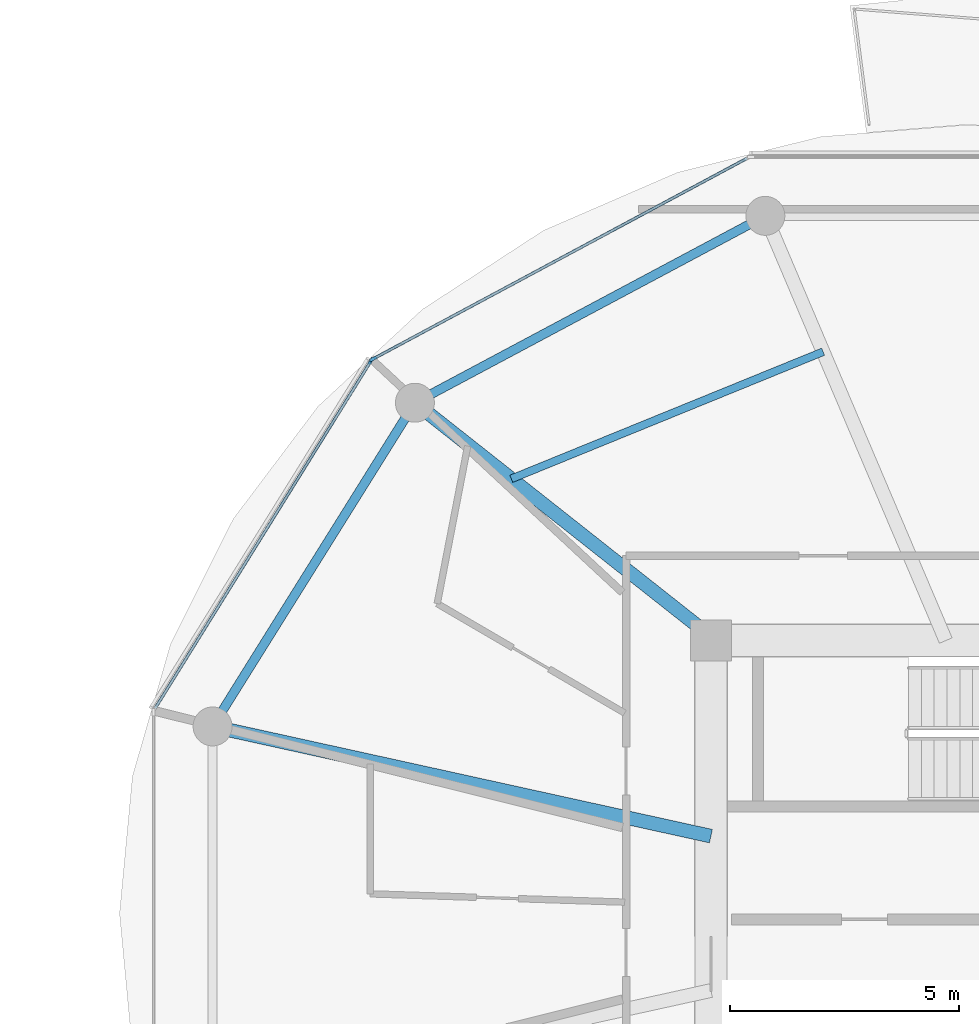
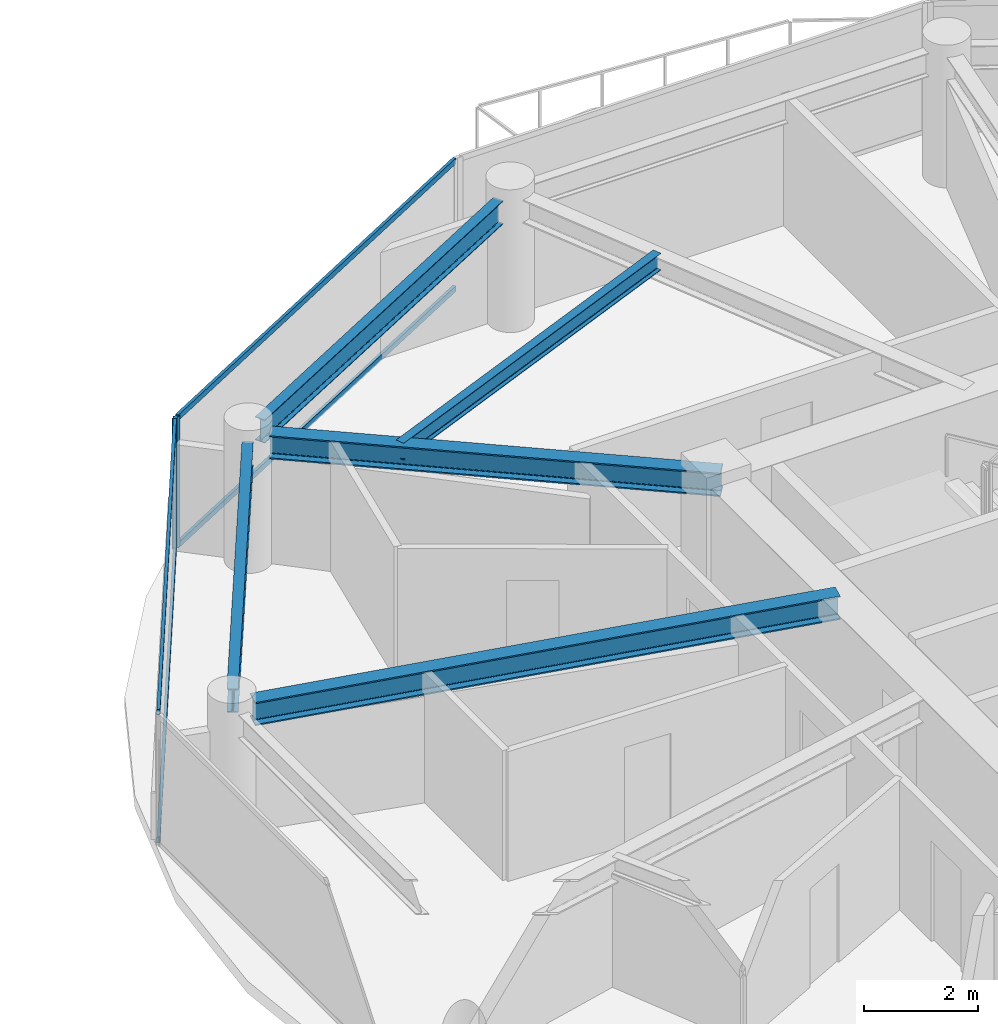
# One storey, part 8 of 24: 6 members, 5 beams, 2 elements without a shape of their own.
"""IFC4 building model written with IfcOpenShell, lengths in metres."""

from ifc_helpers import new_model, si_unit, direction, frame, origin, origin_2d, place, context, subcontext, project, spatial, rectangle, i_section, extrude, source, transform, mapped, material, layer, layer_set, material_profile, profile_set, type_object, type_shapes, element, aggregate, save


model = new_model("IFC4")

# Units and contexts
model_context = context("Model", 3, precision=1e-05, world=origin(), true_north=direction((0.0, 1.0)))
body_context = subcontext(model_context, "Body", "Model", "MODEL_VIEW")
ifc_project = project(units=[si_unit("LENGTHUNIT", "METRE"), si_unit("AREAUNIT", "SQUARE_METRE"), si_unit("VOLUMEUNIT", "CUBIC_METRE"), si_unit("PLANEANGLEUNIT", "RADIAN"), si_unit("MASSUNIT", "GRAM", prefix="KILO")], contexts=[model_context])

# Site, building, storey
site_placement = place(None, origin())
site = spatial("IfcSite", under=ifc_project, at=site_placement, CompositionType="ELEMENT")
building_placement = place(site_placement, origin())
building = spatial("IfcBuilding", under=site, at=building_placement, Name="Norrkilde Senior Care Towers", CompositionType="ELEMENT")
storey_placement = place(building_placement, frame((0.0, 0.0, 105.39990234375)))
storey = spatial("IfcBuildingStorey", under=building, at=storey_placement, Name="L32", CompositionType="ELEMENT", Elevation=105.39990234375)

# Beams
ifc_material_1 = material(Name="Steel S355", Category="steel")
ifc_material_profile_1 = material_profile(ifc_material_1, i_section(OverallWidth=0.199951171875, OverallDepth=0.5, WebThickness=0.01025390625, FlangeThickness=0.01611328125, FilletRadius=0.02099609375, at=origin_2d()), Name="IPE 500")
ifc_profile_set_1 = profile_set([ifc_material_profile_1], Name="Steel S355")
beam_type_1 = type_object("IfcBeamType", Name="Perimeter Ring Spandrel Z2 IPE500", PredefinedType="SPANDREL", material=ifc_profile_set_1)
shared_shape_1 = source(origin(), body_context, "Body", "SweptSolid", [
    extrude(i_section(OverallWidth=0.199951171875, OverallDepth=0.5, WebThickness=0.01025390625, FlangeThickness=0.01611328125, FilletRadius=0.02099609375, at=origin_2d()), origin(), (0.0, 0.0, 1.0), 7.55615234375),
])
beam_1_placement = place(storey_placement, frame((13.689697265625, 10.810546875, 2.5400390625), z_axis=(-0.529981514254, -0.848009194849, 0.0), x_axis=(0.848009194849, -0.529981514254, 0.0)))
element("IfcBeam", 1, at=beam_1_placement, inside=storey, type_object=beam_type_1, Name="L32 Drum E Perimeter Spandrel 05", PredefinedType="SPANDREL", context=body_context, shape_type="MappedRepresentation", body=[
    mapped(shared_shape_1, transform((0.0, 0.0, 0.0), x_axis=(1.0, 0.0, 0.0), y_axis=(0.0, 1.0, 0.0), z_axis=(0.0, 0.0, 1.0), scale=1.0)),
])
ifc_material_profile_2 = material_profile(ifc_material_1, i_section(OverallWidth=0.300048828125, OverallDepth=0.5, WebThickness=0.014404296875, FlangeThickness=0.028076171875, FilletRadius=0.027099609375, at=origin_2d()), Name="HEB 500")
ifc_profile_set_2 = profile_set([ifc_material_profile_2], Name="Steel S355")
beam_type_2 = type_object("IfcBeamType", Name="Radial Floor Beam Z2 HEB500", PredefinedType="BEAM", material=ifc_profile_set_2)
shared_shape_2 = source(origin(), body_context, "Body", "SweptSolid", [
    extrude(i_section(OverallWidth=0.300048828125, OverallDepth=0.5, WebThickness=0.014404296875, FlangeThickness=0.028076171875, FilletRadius=0.027099609375, at=origin_2d()), origin(), (0.0, 0.0, 1.0), 10.744384765625),
])
beam_2_placement = place(storey_placement, frame((20.35009765625, 1.683837890625, 2.5400390625), z_axis=(-0.976618711422, 0.214978818724, 0.0), x_axis=(-0.214978818724, -0.976618711422, 0.0)))
element("IfcBeam", 2, at=beam_2_placement, inside=storey, type_object=beam_type_2, Name="L32 Drum E Radial Floor Beam 06", PredefinedType="BEAM", context=body_context, shape_type="MappedRepresentation", body=[
    mapped(shared_shape_2, transform((0.0, 0.0, 0.0), x_axis=(1.0, 0.0, 0.0), y_axis=(0.0, 1.0, 0.0), z_axis=(0.0, 0.0, 1.0), scale=1.0)),
])
shared_shape_3 = source(origin(), body_context, "Body", "SweptSolid", [
    extrude(i_section(OverallWidth=0.199951171875, OverallDepth=0.5, WebThickness=0.01025390625, FlangeThickness=0.01611328125, FilletRadius=0.02099609375, at=origin_2d()), origin(), (0.0, 0.0, 1.0), 7.892333984375),
])
type_shapes(beam_type_1, [shared_shape_1, shared_shape_3])
beam_3_placement = place(storey_placement, frame((21.197509765625, 15.0322265625, 2.5400390625), z_axis=(-0.882350372282, -0.47059305194, 0.0), x_axis=(0.47059305194, -0.882350372282, 0.0)))
element("IfcBeam", 3, at=beam_3_placement, inside=storey, type_object=beam_type_1, Name="L32 Drum E Perimeter Spandrel 04", PredefinedType="SPANDREL", context=body_context, shape_type="MappedRepresentation", body=[
    mapped(shared_shape_3, transform((0.0, 0.0, 0.0), x_axis=(1.0, 0.0, 0.0), y_axis=(0.0, 1.0, 0.0), z_axis=(0.0, 0.0, 1.0), scale=1.0)),
])
shared_shape_4 = source(origin(), body_context, "Body", "SweptSolid", [
    extrude(i_section(OverallWidth=0.300048828125, OverallDepth=0.5, WebThickness=0.014404296875, FlangeThickness=0.028076171875, FilletRadius=0.027099609375, at=origin_2d()), origin(), (0.0, 0.0, 1.0), 7.985595703125),
])
type_shapes(beam_type_2, [shared_shape_2, shared_shape_4])
beam_4_placement = place(storey_placement, frame((20.463623046875, 5.949951171875, 2.5400390625), z_axis=(-0.784858505144, 0.619675017169, 0.0), x_axis=(-0.619675017169, -0.784858505144, 0.0)))
element("IfcBeam", 4, at=beam_4_placement, inside=storey, type_object=beam_type_2, Name="L32 Drum E Radial Floor Beam 05", PredefinedType="BEAM", context=body_context, shape_type="MappedRepresentation", body=[
    mapped(shared_shape_4, transform((0.0, 0.0, 0.0), x_axis=(1.0, 0.0, 0.0), y_axis=(0.0, 1.0, 0.0), z_axis=(0.0, 0.0, 1.0), scale=1.0)),
])
ifc_material_profile_3 = material_profile(ifc_material_1, i_section(OverallWidth=0.169921875, OverallDepth=0.360107421875, WebThickness=0.008056640625, FlangeThickness=0.0126953125, FilletRadius=0.01806640625, at=origin_2d()), Name="IPE 360")
ifc_profile_set_3 = profile_set([ifc_material_profile_3], Name="Steel S355")
beam_type_3 = type_object("IfcBeamType", Name="Secondary Floor Joist IPE360", PredefinedType="JOIST", material=ifc_profile_set_3)
shared_shape_5 = source(origin(), body_context, "Body", "SweptSolid", [
    extrude(i_section(OverallWidth=0.169921875, OverallDepth=0.360107421875, WebThickness=0.008056640625, FlangeThickness=0.0126953125, FilletRadius=0.01806640625, at=origin_2d()), origin(), (0.0, 0.0, 1.0), 7.343505859375),
])
type_shapes(beam_type_3, [shared_shape_5])
beam_5_placement = place(storey_placement, frame((22.79638671875, 12.2490234375, 2.610107421875), z_axis=(-0.926021784767, -0.377470070519, 0.0), x_axis=(0.377470070519, -0.926021784767, 0.0)))
element("IfcBeam", 5, at=beam_5_placement, inside=storey, type_object=beam_type_3, Name="L32 Drum E Secondary Floor Joist 2", PredefinedType="JOIST", context=body_context, shape_type="MappedRepresentation", body=[
    mapped(shared_shape_5, transform((0.0, 0.0, 0.0), x_axis=(1.0, 0.0, 0.0), y_axis=(0.0, 1.0, 0.0), z_axis=(0.0, 0.0, 1.0), scale=1.0)),
])

# Curtain wall, member
ifc_material_2 = material(Name="Triple Low-E Insulated Glazing", Category="glass")
ifc_layer = layer(ifc_material_2, 0.195068359375)
ifc_layer_set = layer_set([ifc_layer], Name="Triple Low-E Insulated Glazing")
curtain_wall_type = type_object("IfcCurtainWallType", Name="CW3 Zone 2 Assisted Living Curtain Wall", PredefinedType="NOTDEFINED", material=ifc_layer_set)
curtain_wall_1_placement = place(storey_placement, origin())
curtain_wall_1 = element("IfcCurtainWall", 6, at=curtain_wall_1_placement, inside=storey, type_object=curtain_wall_type, Name="L32 Drum E Curtain Wall 03", PredefinedType="NOTDEFINED")
ifc_material_3 = material(Name="Anodised Aluminium", Category="aluminium")
ifc_material_profile_4 = material_profile(ifc_material_3, rectangle(XDim=0.06494140625, YDim=0.159912109375, at=origin_2d()), Name="ALU MULL 65x160")
ifc_profile_set_4 = profile_set([ifc_material_profile_4], Name="Anodised Aluminium")
member_type_1 = type_object("IfcMemberType", Name="Curtain Wall Mullion Z1-Z2 65x160", PredefinedType="MULLION", material=ifc_profile_set_4)
shared_shape_6 = source(origin(), body_context, "Body", "SweptSolid", [
    extrude(rectangle(XDim=0.06494140625, YDim=0.159912109375, at=origin_2d()), origin(), (0.0, 0.0, 1.0), 2.7900390625),
])
type_shapes(member_type_1, [shared_shape_6])
member_1_placement = place(storey_placement, frame((12.98193359375, 12.0927734375, 0.0), z_axis=(0.0, 0.0, 1.0), x_axis=(-0.472769402511, 0.881186184668, 0.0)))
member_1 = element("IfcMember", 7, at=member_1_placement, type_object=member_type_1, Name="CW-3 mullion 1", PredefinedType="MULLION", context=body_context, shape_type="MappedRepresentation", body=[
    mapped(shared_shape_6, transform((0.0, 0.0, 0.0), x_axis=(1.0, 0.0, 0.0), y_axis=(0.0, 1.0, 0.0), z_axis=(0.0, 0.0, 1.0), scale=1.0)),
])

# Curtain wall, members
curtain_wall_2_placement = place(storey_placement, origin())
curtain_wall_2 = element("IfcCurtainWall", 8, at=curtain_wall_2_placement, inside=storey, type_object=curtain_wall_type, Name="L32 Drum E Curtain Wall 04", PredefinedType="NOTDEFINED")
member_2_placement = place(storey_placement, frame((12.936279296875, 12.0498046875, 0.0), z_axis=(0.0, 0.0, 1.0), x_axis=(-0.849410171862, 0.527733228002, 0.0)))
member_2 = element("IfcMember", 9, at=member_2_placement, type_object=member_type_1, Name="CW-3 mullion 2", PredefinedType="MULLION", context=body_context, shape_type="MappedRepresentation", body=[
    mapped(shared_shape_6, transform((0.0, 0.0, 0.0), x_axis=(1.0, 0.0, 0.0), y_axis=(0.0, 1.0, 0.0), z_axis=(0.0, 0.0, 1.0), scale=1.0)),
])
ifc_material_profile_5 = material_profile(ifc_material_3, rectangle(XDim=0.06005859375, YDim=0.1201171875, at=origin_2d()), Name="ALU TRAN 60x120")
ifc_profile_set_5 = profile_set([ifc_material_profile_5], Name="Anodised Aluminium")
member_type_2 = type_object("IfcMemberType", Name="Curtain Wall Transom Typical 60x120", PredefinedType="USERDEFINED", material=ifc_profile_set_5)
shared_shape_7 = source(origin(), body_context, "Body", "SweptSolid", [
    extrude(rectangle(XDim=0.06005859375, YDim=0.1201171875, at=origin_2d()), origin(), (0.0, 0.0, 1.0), 8.88427734375),
])
member_3_placement = place(storey_placement, frame((8.23046875, 4.475830078125, 0.030029296875), z_axis=(0.527749293309, 0.849400190377, 0.0), x_axis=(-0.849400190377, 0.527749293309, 0.0)))
member_3 = element("IfcMember", 10, at=member_3_placement, type_object=member_type_2, Name="CW-3 transom 1.1", ObjectType="TRANSOM", PredefinedType="USERDEFINED", context=body_context, shape_type="MappedRepresentation", body=[
    mapped(shared_shape_7, transform((0.0, 0.0, 0.0), x_axis=(1.0, 0.0, 0.0), y_axis=(0.0, 1.0, 0.0), z_axis=(0.0, 0.0, 1.0), scale=1.0)),
])
member_4_placement = place(storey_placement, frame((8.23046875, 4.475830078125, 2.760009765625), z_axis=(0.527749293309, 0.849400190377, 0.0), x_axis=(-0.849400190377, 0.527749293309, 0.0)))
member_4 = element("IfcMember", 11, at=member_4_placement, type_object=member_type_2, Name="CW-3 transom 1.2", ObjectType="TRANSOM", PredefinedType="USERDEFINED", context=body_context, shape_type="MappedRepresentation", body=[
    mapped(shared_shape_7, transform((0.0, 0.0, 0.0), x_axis=(1.0, 0.0, 0.0), y_axis=(0.0, 1.0, 0.0), z_axis=(0.0, 0.0, 1.0), scale=1.0)),
])
aggregate(curtain_wall_2, [member_2, member_3, member_4])

# Member
shared_shape_8 = source(origin(), body_context, "Body", "SweptSolid", [
    extrude(rectangle(XDim=0.06005859375, YDim=0.1201171875, at=origin_2d()), origin(), (0.0, 0.0, 1.0), 9.220458984375),
])
type_shapes(member_type_2, [shared_shape_7, shared_shape_8])
member_5_placement = place(storey_placement, frame((13.0107421875, 12.108154296875, 0.030029296875), z_axis=(0.881188517866, 0.472765053681, 0.0), x_axis=(-0.472765053681, 0.881188517866, 0.0)))
member_5 = element("IfcMember", 12, at=member_5_placement, type_object=member_type_2, Name="CW-3 transom 1.1", ObjectType="TRANSOM", PredefinedType="USERDEFINED", context=body_context, shape_type="MappedRepresentation", body=[
    mapped(shared_shape_8, transform((0.0, 0.0, 0.0), x_axis=(1.0, 0.0, 0.0), y_axis=(0.0, 1.0, 0.0), z_axis=(0.0, 0.0, 1.0), scale=1.0)),
])

member_6_placement = place(storey_placement, frame((13.0107421875, 12.108154296875, 2.760009765625), z_axis=(0.881188517866, 0.472765053681, 0.0), x_axis=(-0.472765053681, 0.881188517866, 0.0)))
member_6 = element("IfcMember", 13, at=member_6_placement, type_object=member_type_2, Name="CW-3 transom 1.2", ObjectType="TRANSOM", PredefinedType="USERDEFINED", context=body_context, shape_type="MappedRepresentation", body=[
    mapped(shared_shape_8, transform((0.0, 0.0, 0.0), x_axis=(1.0, 0.0, 0.0), y_axis=(0.0, 1.0, 0.0), z_axis=(0.0, 0.0, 1.0), scale=1.0)),
])

aggregate(curtain_wall_1, [member_1, member_5, member_6])

save(model, "model.ifc")
